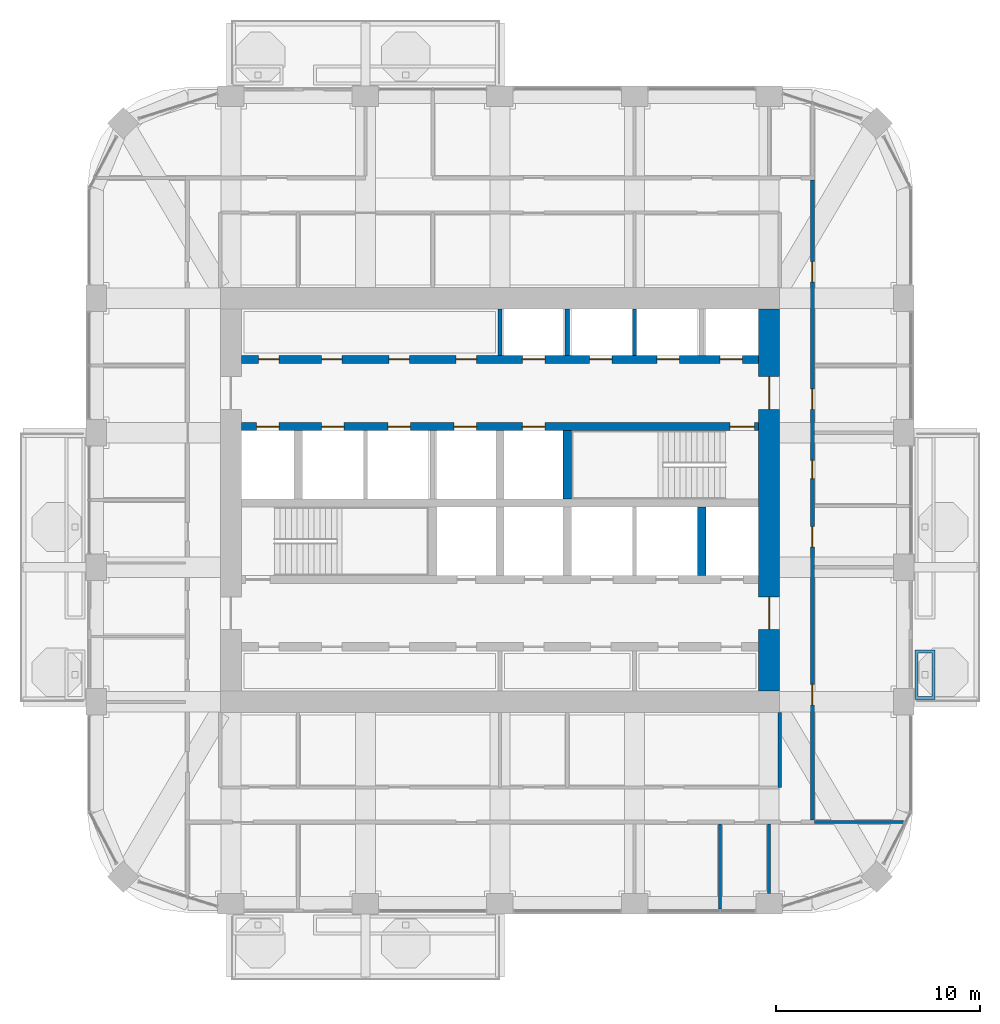
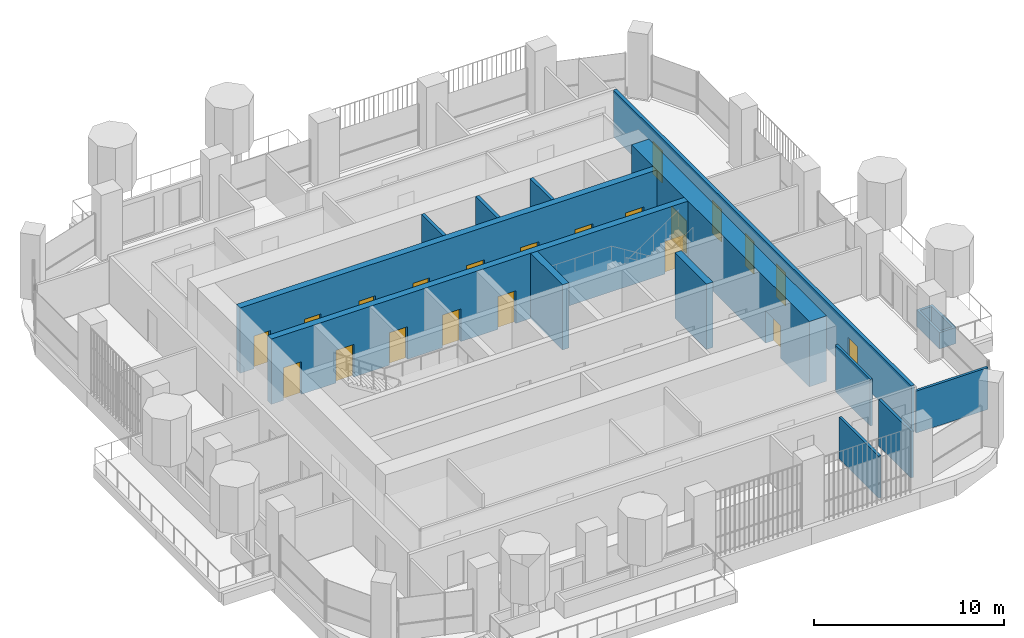
# One storey, part 13 of 19: 21 doors, 14 walls, 21 openings.
"""IFC4 building model written with IfcOpenShell, lengths in metres."""

from ifc_helpers import new_model, si_unit, direction, frame, frame_2d, origin, place, context, subcontext, project, spatial, polyline, rectangle, outline, extrude, material, layer, layer_set, type_object, element, fill, save


model = new_model("IFC4")

# Units and contexts
model_context = context("Model", 3, precision=1e-05, world=origin(), true_north=direction((0.0, 1.0)))
body_context = subcontext(model_context, "Body", "Model", "MODEL_VIEW")
ifc_project = project(units=[si_unit("LENGTHUNIT", "METRE"), si_unit("AREAUNIT", "SQUARE_METRE"), si_unit("VOLUMEUNIT", "CUBIC_METRE"), si_unit("PLANEANGLEUNIT", "RADIAN"), si_unit("MASSUNIT", "GRAM", prefix="KILO")], contexts=[model_context])

# Site, building, storey
site_placement = place(None, origin())
site = spatial("IfcSite", under=ifc_project, at=site_placement, CompositionType="ELEMENT")
building_placement = place(site_placement, origin())
building = spatial("IfcBuilding", under=site, at=building_placement, Name="Cobogo Forest Laboratory Tower", CompositionType="ELEMENT")
storey_placement = place(building_placement, frame((0.0, 0.0, 237.60009765625)))
storey = spatial("IfcBuildingStorey", under=building, at=storey_placement, Name="L54", CompositionType="ELEMENT", Elevation=237.60009765625)

# Wall, openings, doors
ifc_material_1 = material(Name="Concrete HA-50 (C50/60)", Category="concrete")
ifc_layer_1 = layer(ifc_material_1, 0.39990234375)
ifc_layer_set_1 = layer_set([ifc_layer_1], Name="CI400 core inner wall 400")
wall_type_1 = type_object("IfcWallType", Name="CI400 core inner wall 400", PredefinedType="SHEAR", material=ifc_layer_set_1)
wall_1_placement = place(storey_placement, frame((13.72509765625, 26.699951171875, 0.0), z_axis=(0.0, 0.0, 1.0), x_axis=(1.0, 0.0, 0.0)))
wall_1 = element("IfcWall", 1, at=wall_1_placement, inside=storey, type_object=wall_type_1, Name="Core wall CI-26.7 L54", PredefinedType="SHEAR", context=body_context, shape_type="SweptSolid", body=[
    extrude(rectangle(XDim=25.349853515625, YDim=0.39990234375, at=frame_2d((12.6748046875, 0.0))), origin(), (0.0, 0.0, 1.0), 4.199951171875),
])
opening_1_placement = place(wall_1_placement, frame((23.949951171875, 0.0, 0.0)))
opening_1 = element("IfcOpeningElement", 2, at=opening_1_placement, cuts=wall_1, Name="Opening L54-D34", PredefinedType="OPENING", context=body_context, shape_type="SweptSolid", body=[
    extrude(rectangle(XDim=1.199951171875, YDim=2.10009765625, at=frame_2d((0.60009765625, 1.050048828125))), frame((0.0, 0.2099609375, 0.0), z_axis=(0.0, -1.0, 0.0), x_axis=(1.0, 0.0, 0.0)), (0.0, 0.0, 1.0), 0.419921875),
])
opening_2_placement = place(wall_1_placement, frame((0.737548828125, 0.0, 0.0)))
opening_2 = element("IfcOpeningElement", 3, at=opening_2_placement, cuts=wall_1, Name="Opening L54-LD-FL1", PredefinedType="OPENING", context=body_context, shape_type="SweptSolid", body=[
    extrude(rectangle(XDim=1.10009765625, YDim=2.10009765625, at=frame_2d((0.550048828125, 1.050048828125))), frame((0.0, 0.2099609375, 0.0), z_axis=(0.0, -1.0, 0.0), x_axis=(1.0, 0.0, 0.0)), (0.0, 0.0, 1.0), 0.419921875),
])
opening_3_placement = place(wall_1_placement, frame((3.925048828125, 0.0, 0.0)))
opening_3 = element("IfcOpeningElement", 4, at=opening_3_placement, cuts=wall_1, Name="Opening L54-LD-LS3", PredefinedType="OPENING", context=body_context, shape_type="SweptSolid", body=[
    extrude(rectangle(XDim=1.10009765625, YDim=2.10009765625, at=frame_2d((0.550048828125, 1.050048828125))), frame((0.0, 0.2099609375, 0.0), z_axis=(0.0, -1.0, 0.0), x_axis=(1.0, 0.0, 0.0)), (0.0, 0.0, 1.0), 0.419921875),
])
opening_4_placement = place(wall_1_placement, frame((7.175048828125, 0.0, 0.0)))
opening_4 = element("IfcOpeningElement", 5, at=opening_4_placement, cuts=wall_1, Name="Opening L54-LD-LS4", PredefinedType="OPENING", context=body_context, shape_type="SweptSolid", body=[
    extrude(rectangle(XDim=1.10009765625, YDim=2.10009765625, at=frame_2d((0.550048828125, 1.050048828125))), frame((0.0, 0.2099609375, 0.0), z_axis=(0.0, -1.0, 0.0), x_axis=(1.0, 0.0, 0.0)), (0.0, 0.0, 1.0), 0.419921875),
])
opening_5_placement = place(wall_1_placement, frame((10.425048828125, 0.0, 0.0)))
opening_5 = element("IfcOpeningElement", 6, at=opening_5_placement, cuts=wall_1, Name="Opening L54-LD-LS5", PredefinedType="OPENING", context=body_context, shape_type="SweptSolid", body=[
    extrude(rectangle(XDim=1.10009765625, YDim=2.10009765625, at=frame_2d((0.550048828125, 1.050048828125))), frame((0.0, 0.2099609375, 0.0), z_axis=(0.0, -1.0, 0.0), x_axis=(1.0, 0.0, 0.0)), (0.0, 0.0, 1.0), 0.419921875),
])
opening_6_placement = place(wall_1_placement, frame((13.77490234375, 0.0, 0.0)))
opening_6 = element("IfcOpeningElement", 7, at=opening_6_placement, cuts=wall_1, Name="Opening L54-LD-LS6", PredefinedType="OPENING", context=body_context, shape_type="SweptSolid", body=[
    extrude(rectangle(XDim=1.10009765625, YDim=2.10009765625, at=frame_2d((0.550048828125, 1.050048828125))), frame((0.0, 0.2099609375, 0.0), z_axis=(0.0, -1.0, 0.0), x_axis=(1.0, 0.0, 0.0)), (0.0, 0.0, 1.0), 0.419921875),
])
ifc_material_2 = material(Name="Steel fire door", Category="steel")
door_type_1 = type_object("IfcDoorType", Name="DS1 protected stair door 1200 EI2 60", OperationType="SINGLE_SWING_LEFT", PredefinedType="DOOR", material=ifc_material_2)
door_1_placement = place(opening_1_placement, origin())
door_1 = element("IfcDoor", 8, at=door_1_placement, inside=storey, type_object=door_type_1, Name="Door L54-ST2", OperationType="SINGLE_SWING_RIGHT", OverallHeight=2.10009765625, OverallWidth=1.199951171875, PredefinedType="DOOR", context=body_context, shape_type="SweptSolid", body=[
    extrude(rectangle(XDim=1.199951171875, YDim=2.10009765625, at=frame_2d((0.60009765625, 1.050048828125))), frame((0.0, 0.02490234375, 0.0), z_axis=(0.0, -1.0, 0.0), x_axis=(1.0, 0.0, 0.0)), (0.0, 0.0, 1.0), 0.050048828125),
])
fill(opening_1, door_1)
ifc_material_3 = material(Name="Stainless steel lift door", Category="steel")
door_type_2 = type_object("IfcDoorType", Name="LD lift landing door 1100", OperationType="DOUBLE_DOOR_SLIDING", PredefinedType="DOOR", material=ifc_material_3)
door_2_placement = place(opening_2_placement, origin())
door_2 = element("IfcDoor", 9, at=door_2_placement, inside=storey, type_object=door_type_2, Name="Lift landing door FL1 L54", OperationType="DOUBLE_DOOR_SLIDING", OverallHeight=2.10009765625, OverallWidth=1.10009765625, PredefinedType="DOOR", context=body_context, shape_type="SweptSolid", body=[
    extrude(rectangle(XDim=1.10009765625, YDim=2.10009765625, at=frame_2d((0.550048828125, 1.050048828125))), frame((0.0, 0.02490234375, 0.0), z_axis=(0.0, -1.0, 0.0), x_axis=(1.0, 0.0, 0.0)), (0.0, 0.0, 1.0), 0.050048828125),
])
fill(opening_2, door_2)
door_3_placement = place(opening_3_placement, origin())
door_3 = element("IfcDoor", 10, at=door_3_placement, inside=storey, type_object=door_type_2, Name="Lift landing door LS3 L54", OperationType="DOUBLE_DOOR_SLIDING", OverallHeight=2.10009765625, OverallWidth=1.10009765625, PredefinedType="DOOR", context=body_context, shape_type="SweptSolid", body=[
    extrude(rectangle(XDim=1.10009765625, YDim=2.10009765625, at=frame_2d((0.550048828125, 1.050048828125))), frame((0.0, 0.02490234375, 0.0), z_axis=(0.0, -1.0, 0.0), x_axis=(1.0, 0.0, 0.0)), (0.0, 0.0, 1.0), 0.050048828125),
])
fill(opening_3, door_3)
door_4_placement = place(opening_4_placement, origin())
door_4 = element("IfcDoor", 11, at=door_4_placement, inside=storey, type_object=door_type_2, Name="Lift landing door LS4 L54", OperationType="DOUBLE_DOOR_SLIDING", OverallHeight=2.10009765625, OverallWidth=1.10009765625, PredefinedType="DOOR", context=body_context, shape_type="SweptSolid", body=[
    extrude(rectangle(XDim=1.10009765625, YDim=2.10009765625, at=frame_2d((0.550048828125, 1.050048828125))), frame((0.0, 0.02490234375, 0.0), z_axis=(0.0, -1.0, 0.0), x_axis=(1.0, 0.0, 0.0)), (0.0, 0.0, 1.0), 0.050048828125),
])
fill(opening_4, door_4)
door_5_placement = place(opening_5_placement, origin())
door_5 = element("IfcDoor", 12, at=door_5_placement, inside=storey, type_object=door_type_2, Name="Lift landing door LS5 L54", OperationType="DOUBLE_DOOR_SLIDING", OverallHeight=2.10009765625, OverallWidth=1.10009765625, PredefinedType="DOOR", context=body_context, shape_type="SweptSolid", body=[
    extrude(rectangle(XDim=1.10009765625, YDim=2.10009765625, at=frame_2d((0.550048828125, 1.050048828125))), frame((0.0, 0.02490234375, 0.0), z_axis=(0.0, -1.0, 0.0), x_axis=(1.0, 0.0, 0.0)), (0.0, 0.0, 1.0), 0.050048828125),
])
fill(opening_5, door_5)
door_6_placement = place(opening_6_placement, origin())
door_6 = element("IfcDoor", 13, at=door_6_placement, inside=storey, type_object=door_type_2, Name="Lift landing door LS6 L54", OperationType="DOUBLE_DOOR_SLIDING", OverallHeight=2.10009765625, OverallWidth=1.10009765625, PredefinedType="DOOR", context=body_context, shape_type="SweptSolid", body=[
    extrude(rectangle(XDim=1.10009765625, YDim=2.10009765625, at=frame_2d((0.550048828125, 1.050048828125))), frame((0.0, 0.02490234375, 0.0), z_axis=(0.0, -1.0, 0.0), x_axis=(1.0, 0.0, 0.0)), (0.0, 0.0, 1.0), 0.050048828125),
])
fill(opening_6, door_6)

wall_2_placement = place(storey_placement, frame((13.72509765625, 30.0, 0.0), z_axis=(0.0, 0.0, 1.0), x_axis=(1.0, 0.0, 0.0)))
wall_2 = element("IfcWall", 14, at=wall_2_placement, inside=storey, type_object=wall_type_1, Name="Core wall CI-30.0 L54", PredefinedType="SHEAR", context=body_context, shape_type="SweptSolid", body=[
    extrude(rectangle(XDim=25.349853515625, YDim=0.39990234375, at=frame_2d((12.6748046875, 0.0))), origin(), (0.0, 0.0, 1.0), 4.199951171875),
])
opening_7_placement = place(wall_2_placement, frame((0.83740234375, 0.0, 0.0)))
opening_7 = element("IfcOpeningElement", 15, at=opening_7_placement, cuts=wall_2, Name="Opening L54-D38", PredefinedType="OPENING", context=body_context, shape_type="SweptSolid", body=[
    extrude(rectangle(XDim=1.0, YDim=2.10009765625, at=frame_2d((0.5, 1.050048828125))), frame((0.0, 0.2099609375, 0.0), z_axis=(0.0, -1.0, 0.0), x_axis=(1.0, 0.0, 0.0)), (0.0, 0.0, 1.0), 0.419921875),
])
opening_8_placement = place(wall_2_placement, frame((3.925048828125, 0.0, 0.0)))
opening_8 = element("IfcOpeningElement", 16, at=opening_8_placement, cuts=wall_2, Name="Opening L54-D39", PredefinedType="OPENING", context=body_context, shape_type="SweptSolid", body=[
    extrude(rectangle(XDim=1.0, YDim=2.10009765625, at=frame_2d((0.5, 1.050048828125))), frame((0.0, 0.2099609375, 0.0), z_axis=(0.0, -1.0, 0.0), x_axis=(1.0, 0.0, 0.0)), (0.0, 0.0, 1.0), 0.419921875),
])
opening_9_placement = place(wall_2_placement, frame((7.22509765625, 0.0, 0.0)))
opening_9 = element("IfcOpeningElement", 17, at=opening_9_placement, cuts=wall_2, Name="Opening L54-D40", PredefinedType="OPENING", context=body_context, shape_type="SweptSolid", body=[
    extrude(rectangle(XDim=1.0, YDim=2.10009765625, at=frame_2d((0.5, 1.050048828125))), frame((0.0, 0.2099609375, 0.0), z_axis=(0.0, -1.0, 0.0), x_axis=(1.0, 0.0, 0.0)), (0.0, 0.0, 1.0), 0.419921875),
])
opening_10_placement = place(wall_2_placement, frame((10.52490234375, 0.0, 0.0)))
opening_10 = element("IfcOpeningElement", 18, at=opening_10_placement, cuts=wall_2, Name="Opening L54-D41", PredefinedType="OPENING", context=body_context, shape_type="SweptSolid", body=[
    extrude(rectangle(XDim=1.0, YDim=2.10009765625, at=frame_2d((0.5, 1.050048828125))), frame((0.0, 0.2099609375, 0.0), z_axis=(0.0, -1.0, 0.0), x_axis=(1.0, 0.0, 0.0)), (0.0, 0.0, 1.0), 0.419921875),
])
opening_11_placement = place(wall_2_placement, frame((13.77490234375, 0.0, 0.0)))
opening_11 = element("IfcOpeningElement", 19, at=opening_11_placement, cuts=wall_2, Name="Opening L54-LD-LD1", PredefinedType="OPENING", context=body_context, shape_type="SweptSolid", body=[
    extrude(rectangle(XDim=1.10009765625, YDim=2.10009765625, at=frame_2d((0.550048828125, 1.050048828125))), frame((0.0, 0.2099609375, 0.0), z_axis=(0.0, -1.0, 0.0), x_axis=(1.0, 0.0, 0.0)), (0.0, 0.0, 1.0), 0.419921875),
])
opening_12_placement = place(wall_2_placement, frame((17.074951171875, 0.0, 0.0)))
opening_12 = element("IfcOpeningElement", 20, at=opening_12_placement, cuts=wall_2, Name="Opening L54-LD-LD2", PredefinedType="OPENING", context=body_context, shape_type="SweptSolid", body=[
    extrude(rectangle(XDim=1.10009765625, YDim=2.10009765625, at=frame_2d((0.550048828125, 1.050048828125))), frame((0.0, 0.2099609375, 0.0), z_axis=(0.0, -1.0, 0.0), x_axis=(1.0, 0.0, 0.0)), (0.0, 0.0, 1.0), 0.419921875),
])
opening_13_placement = place(wall_2_placement, frame((20.375, 0.0, 0.0)))
opening_13 = element("IfcOpeningElement", 21, at=opening_13_placement, cuts=wall_2, Name="Opening L54-LD-LD3", PredefinedType="OPENING", context=body_context, shape_type="SweptSolid", body=[
    extrude(rectangle(XDim=1.10009765625, YDim=2.10009765625, at=frame_2d((0.550048828125, 1.050048828125))), frame((0.0, 0.2099609375, 0.0), z_axis=(0.0, -1.0, 0.0), x_axis=(1.0, 0.0, 0.0)), (0.0, 0.0, 1.0), 0.419921875),
])
opening_14_placement = place(wall_2_placement, frame((23.46240234375, 0.0, 0.0)))
opening_14 = element("IfcOpeningElement", 22, at=opening_14_placement, cuts=wall_2, Name="Opening L54-LD-LD4", PredefinedType="OPENING", context=body_context, shape_type="SweptSolid", body=[
    extrude(rectangle(XDim=1.10009765625, YDim=2.10009765625, at=frame_2d((0.550048828125, 1.050048828125))), frame((0.0, 0.2099609375, 0.0), z_axis=(0.0, -1.0, 0.0), x_axis=(1.0, 0.0, 0.0)), (0.0, 0.0, 1.0), 0.419921875),
])
door_type_3 = type_object("IfcDoorType", Name="FD1 fire door 1000 EI2 60", OperationType="SINGLE_SWING_LEFT", PredefinedType="DOOR", material=ifc_material_2)
door_7_placement = place(opening_7_placement, origin())
door_7 = element("IfcDoor", 23, at=door_7_placement, inside=storey, type_object=door_type_3, Name="Door L54-SH-LC1", OperationType="SINGLE_SWING_LEFT", OverallHeight=2.10009765625, OverallWidth=1.0, PredefinedType="DOOR", context=body_context, shape_type="SweptSolid", body=[
    extrude(rectangle(XDim=1.0, YDim=2.10009765625, at=frame_2d((0.5, 1.050048828125))), frame((0.0, 0.02490234375, 0.0), z_axis=(0.0, -1.0, 0.0), x_axis=(1.0, 0.0, 0.0)), (0.0, 0.0, 1.0), 0.050048828125),
])
fill(opening_7, door_7)
door_8_placement = place(opening_8_placement, origin())
door_8 = element("IfcDoor", 24, at=door_8_placement, inside=storey, type_object=door_type_3, Name="Door L54-SH-LC2", OperationType="SINGLE_SWING_LEFT", OverallHeight=2.10009765625, OverallWidth=1.0, PredefinedType="DOOR", context=body_context, shape_type="SweptSolid", body=[
    extrude(rectangle(XDim=1.0, YDim=2.10009765625, at=frame_2d((0.5, 1.050048828125))), frame((0.0, 0.02490234375, 0.0), z_axis=(0.0, -1.0, 0.0), x_axis=(1.0, 0.0, 0.0)), (0.0, 0.0, 1.0), 0.050048828125),
])
fill(opening_8, door_8)
door_9_placement = place(opening_9_placement, origin())
door_9 = element("IfcDoor", 25, at=door_9_placement, inside=storey, type_object=door_type_3, Name="Door L54-SH-LC3", OperationType="SINGLE_SWING_LEFT", OverallHeight=2.10009765625, OverallWidth=1.0, PredefinedType="DOOR", context=body_context, shape_type="SweptSolid", body=[
    extrude(rectangle(XDim=1.0, YDim=2.10009765625, at=frame_2d((0.5, 1.050048828125))), frame((0.0, 0.02490234375, 0.0), z_axis=(0.0, -1.0, 0.0), x_axis=(1.0, 0.0, 0.0)), (0.0, 0.0, 1.0), 0.050048828125),
])
fill(opening_9, door_9)
door_10_placement = place(opening_10_placement, origin())
door_10 = element("IfcDoor", 26, at=door_10_placement, inside=storey, type_object=door_type_3, Name="Door L54-SH-LC4", OperationType="SINGLE_SWING_LEFT", OverallHeight=2.10009765625, OverallWidth=1.0, PredefinedType="DOOR", context=body_context, shape_type="SweptSolid", body=[
    extrude(rectangle(XDim=1.0, YDim=2.10009765625, at=frame_2d((0.5, 1.050048828125))), frame((0.0, 0.02490234375, 0.0), z_axis=(0.0, -1.0, 0.0), x_axis=(1.0, 0.0, 0.0)), (0.0, 0.0, 1.0), 0.050048828125),
])
fill(opening_10, door_10)
door_11_placement = place(opening_11_placement, origin())
door_11 = element("IfcDoor", 27, at=door_11_placement, inside=storey, type_object=door_type_2, Name="Lift landing door LD1 L54", OperationType="DOUBLE_DOOR_SLIDING", OverallHeight=2.10009765625, OverallWidth=1.10009765625, PredefinedType="DOOR", context=body_context, shape_type="SweptSolid", body=[
    extrude(rectangle(XDim=1.10009765625, YDim=2.10009765625, at=frame_2d((0.550048828125, 1.050048828125))), frame((0.0, 0.02490234375, 0.0), z_axis=(0.0, -1.0, 0.0), x_axis=(1.0, 0.0, 0.0)), (0.0, 0.0, 1.0), 0.050048828125),
])
fill(opening_11, door_11)
door_12_placement = place(opening_12_placement, origin())
door_12 = element("IfcDoor", 28, at=door_12_placement, inside=storey, type_object=door_type_2, Name="Lift landing door LD2 L54", OperationType="DOUBLE_DOOR_SLIDING", OverallHeight=2.10009765625, OverallWidth=1.10009765625, PredefinedType="DOOR", context=body_context, shape_type="SweptSolid", body=[
    extrude(rectangle(XDim=1.10009765625, YDim=2.10009765625, at=frame_2d((0.550048828125, 1.050048828125))), frame((0.0, 0.02490234375, 0.0), z_axis=(0.0, -1.0, 0.0), x_axis=(1.0, 0.0, 0.0)), (0.0, 0.0, 1.0), 0.050048828125),
])
fill(opening_12, door_12)
door_13_placement = place(opening_13_placement, origin())
door_13 = element("IfcDoor", 29, at=door_13_placement, inside=storey, type_object=door_type_2, Name="Lift landing door LD3 L54", OperationType="DOUBLE_DOOR_SLIDING", OverallHeight=2.10009765625, OverallWidth=1.10009765625, PredefinedType="DOOR", context=body_context, shape_type="SweptSolid", body=[
    extrude(rectangle(XDim=1.10009765625, YDim=2.10009765625, at=frame_2d((0.550048828125, 1.050048828125))), frame((0.0, 0.02490234375, 0.0), z_axis=(0.0, -1.0, 0.0), x_axis=(1.0, 0.0, 0.0)), (0.0, 0.0, 1.0), 0.050048828125),
])
fill(opening_13, door_13)
door_14_placement = place(opening_14_placement, origin())
door_14 = element("IfcDoor", 30, at=door_14_placement, inside=storey, type_object=door_type_2, Name="Lift landing door LD4 L54", OperationType="DOUBLE_DOOR_SLIDING", OverallHeight=2.10009765625, OverallWidth=1.10009765625, PredefinedType="DOOR", context=body_context, shape_type="SweptSolid", body=[
    extrude(rectangle(XDim=1.10009765625, YDim=2.10009765625, at=frame_2d((0.550048828125, 1.050048828125))), frame((0.0, 0.02490234375, 0.0), z_axis=(0.0, -1.0, 0.0), x_axis=(1.0, 0.0, 0.0)), (0.0, 0.0, 1.0), 0.050048828125),
])
fill(opening_14, door_14)

# Walls
for number, where, z_axis, x_axis, name in (
    (31, (36.300048828125, 19.39990234375, 0.0), (0.0, 0.0, 1.0), (0.0, 1.0, 0.0), "Core wall CX-36.3 L54"),
    (32, (29.699951171875, 23.14990234375, 0.0), (0.0, 0.0, 1.0), (0.0, 1.0, 0.0), "Core wall CX-29.7N L54"),
):
    element("IfcWall", number, at=place(storey_placement, frame(where, z_axis=z_axis, x_axis=x_axis)), inside=storey, type_object=wall_type_1, Name=name, PredefinedType="SHEAR", context=body_context, shape_type="SweptSolid", body=[
        extrude(rectangle(XDim=3.35009765625, YDim=0.39990234375, at=frame_2d((1.675048828125, 0.0))), origin(), (0.0, 0.0, 1.0), 4.199951171875),
    ])

# Wall, openings, doors
ifc_layer_2 = layer(ifc_material_1, 1.050048828125)
ifc_layer_set_2 = layer_set([ifc_layer_2], Name="CW1050 core outer wall 1050")
wall_type_2 = type_object("IfcWallType", Name="CW1050 core outer wall 1050", PredefinedType="SHEAR", material=ifc_layer_set_2)
wall_3_placement = place(storey_placement, frame((39.60009765625, 13.72509765625, 0.0), z_axis=(0.0, 0.0, 1.0), x_axis=(0.0, 1.0, 0.0)))
wall_3 = element("IfcWall", 33, at=wall_3_placement, inside=storey, type_object=wall_type_2, Name="Core wall CO-E L54", PredefinedType="SHEAR", context=body_context, shape_type="SweptSolid", body=[
    extrude(rectangle(XDim=18.75, YDim=1.050048828125, at=frame_2d((9.375, 0.0))), origin(), (0.0, 0.0, 1.0), 4.199951171875),
])
opening_15_placement = place(wall_3_placement, frame((3.02490234375, 0.0, 0.0)))
opening_15 = element("IfcOpeningElement", 34, at=opening_15_placement, cuts=wall_3, Name="Opening L54-D25", PredefinedType="OPENING", context=body_context, shape_type="SweptSolid", body=[
    extrude(rectangle(XDim=1.60009765625, YDim=2.10009765625, at=frame_2d((0.800048828125, 1.050048828125))), frame((0.0, 0.534912109375, 0.0), z_axis=(0.0, -1.0, 0.0), x_axis=(1.0, 0.0, 0.0)), (0.0, 0.0, 1.0), 1.070068359375),
])
opening_16_placement = place(wall_3_placement, frame((13.824951171875, 0.0, 0.0)))
opening_16 = element("IfcOpeningElement", 35, at=opening_16_placement, cuts=wall_3, Name="Opening L54-D37", PredefinedType="OPENING", context=body_context, shape_type="SweptSolid", body=[
    extrude(rectangle(XDim=1.60009765625, YDim=2.10009765625, at=frame_2d((0.800048828125, 1.050048828125))), frame((0.0, 0.534912109375, 0.0), z_axis=(0.0, -1.0, 0.0), x_axis=(1.0, 0.0, 0.0)), (0.0, 0.0, 1.0), 1.070068359375),
])
door_type_4 = type_object("IfcDoorType", Name="DS2 protected lobby door pair 1600 EI2 60", OperationType="DOUBLE_DOOR_DOUBLE_SWING", PredefinedType="DOOR", material=ifc_material_2)
door_15_placement = place(opening_15_placement, origin())
door_15 = element("IfcDoor", 36, at=door_15_placement, inside=storey, type_object=door_type_4, Name="Door L54-CO-E-S", OperationType="DOUBLE_DOOR_DOUBLE_SWING", OverallHeight=2.10009765625, OverallWidth=1.60009765625, PredefinedType="DOOR", context=body_context, shape_type="SweptSolid", body=[
    extrude(rectangle(XDim=1.60009765625, YDim=2.10009765625, at=frame_2d((0.800048828125, 1.050048828125))), frame((0.0, 0.02490234375, 0.0), z_axis=(0.0, -1.0, 0.0), x_axis=(1.0, 0.0, 0.0)), (0.0, 0.0, 1.0), 0.050048828125),
])
fill(opening_15, door_15)
door_16_placement = place(opening_16_placement, origin())
door_16 = element("IfcDoor", 37, at=door_16_placement, inside=storey, type_object=door_type_4, Name="Door L54-CO-E-N", OperationType="DOUBLE_DOOR_DOUBLE_SWING", OverallHeight=2.10009765625, OverallWidth=1.60009765625, PredefinedType="DOOR", context=body_context, shape_type="SweptSolid", body=[
    extrude(rectangle(XDim=1.60009765625, YDim=2.10009765625, at=frame_2d((0.800048828125, 1.050048828125))), frame((0.0, 0.02490234375, 0.0), z_axis=(0.0, -1.0, 0.0), x_axis=(1.0, 0.0, 0.0)), (0.0, 0.0, 1.0), 0.050048828125),
])
fill(opening_16, door_16)

# Walls
ifc_material_4 = material(Name="Gypsum board on steel studs", Category="steel")
ifc_layer_3 = layer(ifc_material_4, 0.14990234375)
ifc_layer_set_3 = layer_set([ifc_layer_3], Name="PT1 laboratory partition 150")
wall_type_3 = type_object("IfcWallType", Name="PT1 laboratory partition 150", PredefinedType="PARTITIONING", material=ifc_layer_set_3)
wall_4_placement = place(storey_placement, frame((40.125, 12.675048828125, 0.0), z_axis=(0.0, 0.0, 1.0), x_axis=(0.0, -1.0, 0.0)))
element("IfcWall", 38, at=wall_4_placement, inside=storey, type_object=wall_type_3, Name="Partition CSTRIP-SE L54", PredefinedType="PARTITIONING", context=body_context, shape_type="SweptSolid", body=[
    extrude(rectangle(XDim=3.675048828125, YDim=0.14990234375, at=frame_2d((1.83740234375, 0.0))), origin(), (0.0, 0.0, 1.0), 3.0),
])
wall_5_placement = place(storey_placement, frame((46.197509765625, 7.300048828125, 0.0), z_axis=(0.0, 0.0, 1.0), x_axis=(-1.0, 0.0, 0.0)))
element("IfcWall", 39, at=wall_5_placement, inside=storey, type_object=wall_type_3, Name="Partition PW-SE L54", PredefinedType="PARTITIONING", context=body_context, shape_type="SweptSolid", body=[
    extrude(rectangle(XDim=4.37255859375, YDim=0.14990234375, at=frame_2d((2.186279296875, 0.0))), origin(), (0.0, 0.0, 1.0), 2.699951171875),
])
wall_6_placement = place(storey_placement, frame((37.199951171875, 3.030029296875, 0.0), z_axis=(0.0, 0.0, 1.0), x_axis=(0.0, 1.0, 0.0)))
element("IfcWall", 40, at=wall_6_placement, inside=storey, type_object=wall_type_3, Name="Partition SVC-S1-1 L54", PredefinedType="PARTITIONING", context=body_context, shape_type="SweptSolid", body=[
    extrude(rectangle(XDim=4.169921875, YDim=0.14990234375, at=frame_2d((2.0849609375, 0.0))), origin(), (0.0, 0.0, 1.0), 2.699951171875),
])
wall_7_placement = place(storey_placement, frame((39.60009765625, 3.800048828125, 0.0), z_axis=(0.0, 0.0, 1.0), x_axis=(0.0, 1.0, 0.0)))
element("IfcWall", 41, at=wall_7_placement, inside=storey, type_object=wall_type_3, Name="Partition CUT-S39.6-1 L54", PredefinedType="PARTITIONING", context=body_context, shape_type="SweptSolid", body=[
    extrude(rectangle(XDim=3.39990234375, YDim=0.14990234375, at=frame_2d((1.699951171875, 0.0))), origin(), (0.0, 0.0, 1.0), 3.0),
])

# Wall, openings, doors
ifc_layer_4 = layer(ifc_material_4, 0.199951171875)
ifc_layer_set_4 = layer_set([ifc_layer_4], Name="PT2 fire-rated corridor partition 200")
wall_type_4 = type_object("IfcWallType", Name="PT2 fire-rated corridor partition 200", PredefinedType="PARTITIONING", material=ifc_layer_set_4)
wall_8_placement = place(storey_placement, frame((41.72509765625, 7.39990234375, 0.0), z_axis=(0.0, 0.0, 1.0), x_axis=(0.0, 1.0, 0.0)))
wall_8 = element("IfcWall", 42, at=wall_8_placement, inside=storey, type_object=wall_type_4, Name="Partition CORR-E L54", PredefinedType="PARTITIONING", context=body_context, shape_type="SweptSolid", body=[
    extrude(rectangle(XDim=31.400146484375, YDim=0.199951171875, at=frame_2d((15.7001953125, 0.0))), origin(), (0.0, 0.0, 1.0), 3.0),
])
opening_17_placement = place(wall_8_placement, frame((5.64990234375, 0.0, 0.0)))
opening_17 = element("IfcOpeningElement", 43, at=opening_17_placement, cuts=wall_8, Name="Opening L54-D12", PredefinedType="OPENING", context=body_context, shape_type="SweptSolid", body=[
    extrude(rectangle(XDim=1.0, YDim=2.10009765625, at=frame_2d((0.5, 1.050048828125))), frame((0.0, 0.10986328125, 0.0), z_axis=(0.0, -1.0, 0.0), x_axis=(1.0, 0.0, 0.0)), (0.0, 0.0, 1.0), 0.219970703125),
])
opening_18_placement = place(wall_8_placement, frame((13.39990234375, 0.0, 0.0)))
opening_18 = element("IfcOpeningElement", 44, at=opening_18_placement, cuts=wall_8, Name="Opening L54-D30", PredefinedType="OPENING", context=body_context, shape_type="SweptSolid", body=[
    extrude(rectangle(XDim=1.0, YDim=2.10009765625, at=frame_2d((0.5, 1.050048828125))), frame((0.0, 0.10986328125, 0.0), z_axis=(0.0, -1.0, 0.0), x_axis=(1.0, 0.0, 0.0)), (0.0, 0.0, 1.0), 0.219970703125),
])
opening_19_placement = place(wall_8_placement, frame((16.75, 0.0, 0.0)))
opening_19 = element("IfcOpeningElement", 45, at=opening_19_placement, cuts=wall_8, Name="Opening L54-D32", PredefinedType="OPENING", context=body_context, shape_type="SweptSolid", body=[
    extrude(rectangle(XDim=0.89990234375, YDim=2.10009765625, at=frame_2d((0.449951171875, 1.050048828125))), frame((0.0, 0.10986328125, 0.0), z_axis=(0.0, -1.0, 0.0), x_axis=(1.0, 0.0, 0.0)), (0.0, 0.0, 1.0), 0.219970703125),
])
opening_20_placement = place(wall_8_placement, frame((20.14990234375, 0.0, 0.0)))
opening_20 = element("IfcOpeningElement", 46, at=opening_20_placement, cuts=wall_8, Name="Opening L54-D35", PredefinedType="OPENING", context=body_context, shape_type="SweptSolid", body=[
    extrude(rectangle(XDim=1.0, YDim=2.10009765625, at=frame_2d((0.5, 1.050048828125))), frame((0.0, 0.10986328125, 0.0), z_axis=(0.0, -1.0, 0.0), x_axis=(1.0, 0.0, 0.0)), (0.0, 0.0, 1.0), 0.219970703125),
])
opening_21_placement = place(wall_8_placement, frame((26.39990234375, 0.0, 0.0)))
opening_21 = element("IfcOpeningElement", 47, at=opening_21_placement, cuts=wall_8, Name="Opening L54-D43", PredefinedType="OPENING", context=body_context, shape_type="SweptSolid", body=[
    extrude(rectangle(XDim=1.0, YDim=2.10009765625, at=frame_2d((0.5, 1.050048828125))), frame((0.0, 0.10986328125, 0.0), z_axis=(0.0, -1.0, 0.0), x_axis=(1.0, 0.0, 0.0)), (0.0, 0.0, 1.0), 0.219970703125),
])
door_17_placement = place(opening_18_placement, origin())
door_17 = element("IfcDoor", 48, at=door_17_placement, inside=storey, type_object=door_type_3, Name="Door L54-ELEC", OperationType="SINGLE_SWING_LEFT", OverallHeight=2.10009765625, OverallWidth=1.0, PredefinedType="DOOR", context=body_context, shape_type="SweptSolid", body=[
    extrude(rectangle(XDim=1.0, YDim=2.10009765625, at=frame_2d((0.5, 1.050048828125))), frame((0.0, 0.02490234375, 0.0), z_axis=(0.0, -1.0, 0.0), x_axis=(1.0, 0.0, 0.0)), (0.0, 0.0, 1.0), 0.050048828125),
])
fill(opening_18, door_17)
ifc_material_5 = material(Name="Timber fire door", Category="wood")
door_type_5 = type_object("IfcDoorType", Name="FD2 fire door 1000 EI2 30", OperationType="SINGLE_SWING_LEFT", PredefinedType="DOOR", material=ifc_material_5)
door_18_placement = place(opening_17_placement, origin())
door_18 = element("IfcDoor", 49, at=door_18_placement, inside=storey, type_object=door_type_5, Name="Door L54-E1", OperationType="SINGLE_SWING_LEFT", OverallHeight=2.10009765625, OverallWidth=1.0, PredefinedType="DOOR", context=body_context, shape_type="SweptSolid", body=[
    extrude(rectangle(XDim=1.0, YDim=2.10009765625, at=frame_2d((0.5, 1.050048828125))), frame((0.0, 0.02490234375, 0.0), z_axis=(0.0, -1.0, 0.0), x_axis=(1.0, 0.0, 0.0)), (0.0, 0.0, 1.0), 0.050048828125),
])
fill(opening_17, door_18)
door_19_placement = place(opening_20_placement, origin())
door_19 = element("IfcDoor", 50, at=door_19_placement, inside=storey, type_object=door_type_5, Name="Door L54-E2", OperationType="SINGLE_SWING_RIGHT", OverallHeight=2.10009765625, OverallWidth=1.0, PredefinedType="DOOR", context=body_context, shape_type="SweptSolid", body=[
    extrude(rectangle(XDim=1.0, YDim=2.10009765625, at=frame_2d((0.5, 1.050048828125))), frame((0.0, 0.02490234375, 0.0), z_axis=(0.0, -1.0, 0.0), x_axis=(1.0, 0.0, 0.0)), (0.0, 0.0, 1.0), 0.050048828125),
])
fill(opening_20, door_19)
door_20_placement = place(opening_21_placement, origin())
door_20 = element("IfcDoor", 51, at=door_20_placement, inside=storey, type_object=door_type_5, Name="Door L54-E3", OperationType="SINGLE_SWING_RIGHT", OverallHeight=2.10009765625, OverallWidth=1.0, PredefinedType="DOOR", context=body_context, shape_type="SweptSolid", body=[
    extrude(rectangle(XDim=1.0, YDim=2.10009765625, at=frame_2d((0.5, 1.050048828125))), frame((0.0, 0.02490234375, 0.0), z_axis=(0.0, -1.0, 0.0), x_axis=(1.0, 0.0, 0.0)), (0.0, 0.0, 1.0), 0.050048828125),
])
fill(opening_21, door_20)
door_type_6 = type_object("IfcDoorType", Name="FD4 riser access door 900 EI2 60", OperationType="SINGLE_SWING_LEFT", PredefinedType="DOOR", material=ifc_material_2)
door_21_placement = place(opening_19_placement, origin())
door_21 = element("IfcDoor", 52, at=door_21_placement, inside=storey, type_object=door_type_6, Name="Door L54-COMMS", OperationType="SINGLE_SWING_RIGHT", OverallHeight=2.10009765625, OverallWidth=0.89990234375, PredefinedType="DOOR", context=body_context, shape_type="SweptSolid", body=[
    extrude(rectangle(XDim=0.89990234375, YDim=2.10009765625, at=frame_2d((0.449951171875, 1.050048828125))), frame((0.0, 0.02490234375, 0.0), z_axis=(0.0, -1.0, 0.0), x_axis=(1.0, 0.0, 0.0)), (0.0, 0.0, 1.0), 0.050048828125),
])
fill(opening_19, door_21)

# Walls
ifc_material_6 = material(Name="Concrete HA-40 (C40/50)", Category="concrete")
ifc_layer_5 = layer(ifc_material_6, 0.14990234375)
ifc_layer_set_5 = layer_set([ifc_layer_5], Name="Planter box 1000x1050")
wall_type_5 = type_object("IfcWallType", Name="Planter box 1000x1050", PredefinedType="USERDEFINED", material=ifc_layer_set_5)
wall_9_placement = place(storey_placement, origin())
element("IfcWall", 53, at=wall_9_placement, inside=storey, type_object=wall_type_5, Name="Planter BAL-E1-1 L54", ObjectType="PLANTER", PredefinedType="USERDEFINED", context=body_context, shape_type="SweptSolid", body=[
    extrude(outline(polyline([(46.75, 13.300048828125), (47.75, 13.300048828125), (47.75, 15.75), (46.75, 15.75), (46.75, 13.300048828125)]), holes=[polyline([(46.89990234375, 13.449951171875), (47.60009765625, 13.449951171875), (47.60009765625, 15.60009765625), (46.89990234375, 15.60009765625), (46.89990234375, 13.449951171875)])]), origin(), (0.0, 0.0, 1.0), 1.0498046875),
])
ifc_material_7 = material(Name="Concrete block", Category="concrete")
ifc_layer_6 = layer(ifc_material_7, 0.199951171875)
ifc_layer_set_6 = layer_set([ifc_layer_6], Name="SW200 lift shaft separator 200")
wall_type_6 = type_object("IfcWallType", Name="SW200 lift shaft separator 200", PredefinedType="PARTITIONING", material=ifc_layer_set_6)
for number, where, z_axis, x_axis, name in (
    (54, (26.39990234375, 30.199951171875, 0.0), (0.0, 0.0, 1.0), (0.0, 1.0, 0.0), "Core wall SEP-N4 L54"),
    (55, (29.699951171875, 30.199951171875, 0.0), (0.0, 0.0, 1.0), (0.0, 1.0, 0.0), "Core wall SEP-N5 L54"),
    (56, (33.0, 30.199951171875, 0.0), (0.0, 0.0, 1.0), (0.0, 1.0, 0.0), "Core wall SEP-N6 L54"),
):
    element("IfcWall", number, at=place(storey_placement, frame(where, z_axis=z_axis, x_axis=x_axis)), inside=storey, type_object=wall_type_6, Name=name, PredefinedType="PARTITIONING", context=body_context, shape_type="SweptSolid", body=[
        extrude(rectangle(XDim=2.275146484375, YDim=0.199951171875, at=frame_2d((1.1376953125, 0.0))), origin(), (0.0, 0.0, 1.0), 4.199951171875),
    ])

save(model, "model.ifc")
